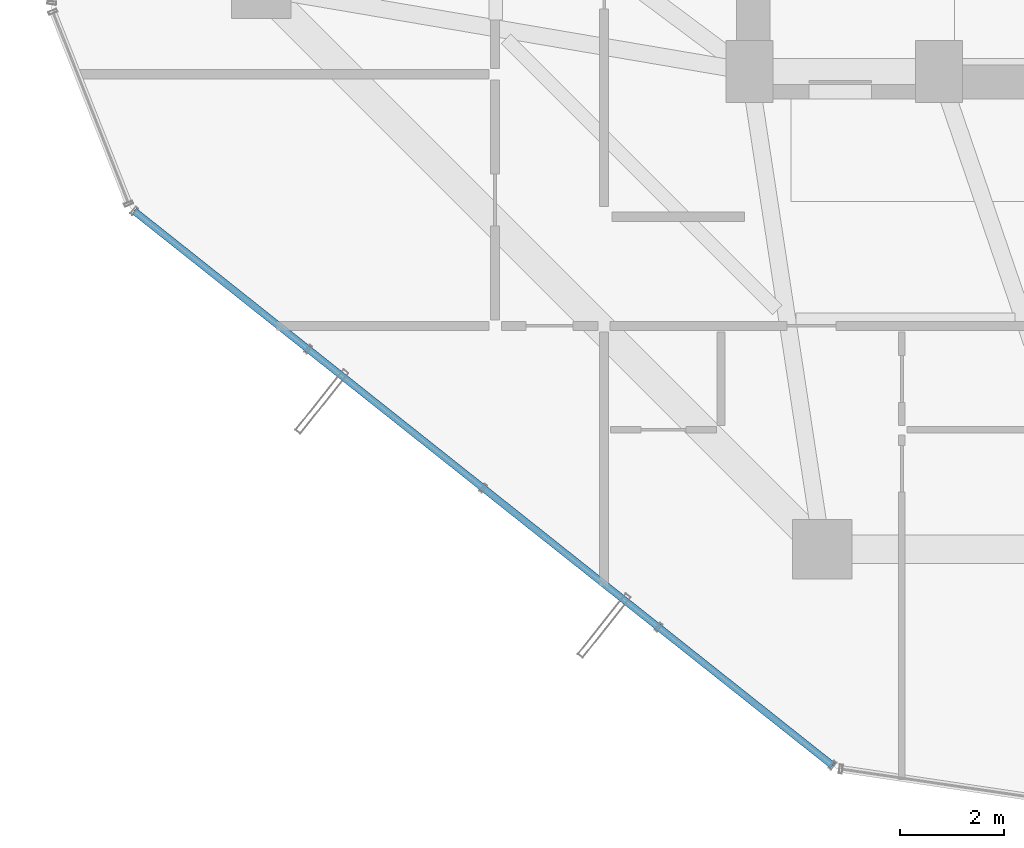
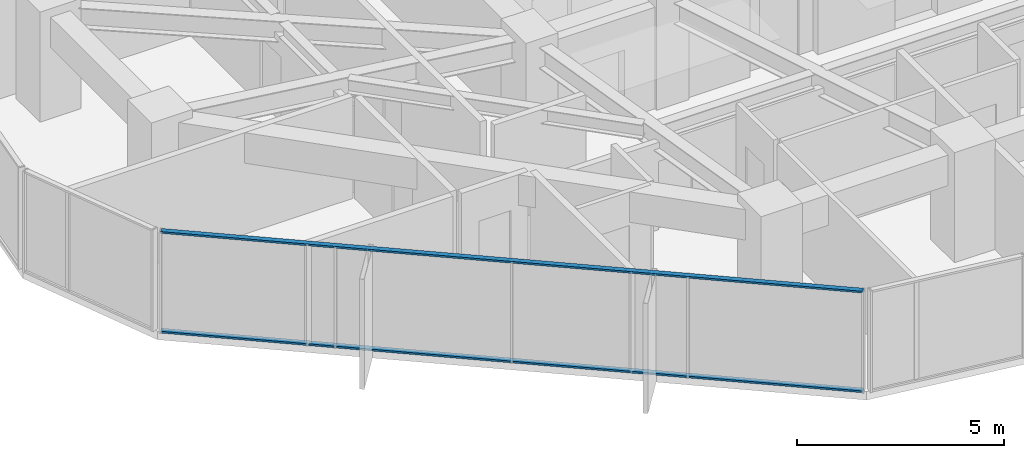
# One storey, part 3 of 29: 2 members, 1 element without a shape of its own.
"""IFC4 building model written with IfcOpenShell, lengths in metres."""

from ifc_helpers import new_model, si_unit, direction, frame, origin, origin_2d, place, context, subcontext, project, spatial, hollow_rectangle, extrude, source, transform, mapped, material, layer, layer_set, material_profile, profile_set, type_object, element, aggregate, save


model = new_model("IFC4")

# Units and contexts
model_context = context("Model", 3, precision=1e-05, world=origin(), true_north=direction((0.0, 1.0)))
body_context = subcontext(model_context, "Body", "Model", "MODEL_VIEW")
ifc_project = project(units=[si_unit("LENGTHUNIT", "METRE"), si_unit("AREAUNIT", "SQUARE_METRE"), si_unit("VOLUMEUNIT", "CUBIC_METRE"), si_unit("PLANEANGLEUNIT", "RADIAN"), si_unit("MASSUNIT", "GRAM", prefix="KILO")], contexts=[model_context])

# Site, building, storey
site_placement = place(None, origin())
site = spatial("IfcSite", under=ifc_project, at=site_placement, CompositionType="ELEMENT")
building_placement = place(site_placement, origin())
building = spatial("IfcBuilding", under=site, at=building_placement, Name="Veraguas Prism Commons", CompositionType="ELEMENT")
storey_placement = place(building_placement, frame((0.0, 0.0, 99.199951171875)))
storey = spatial("IfcBuildingStorey", under=building, at=storey_placement, Name="L27", CompositionType="ELEMENT", Elevation=99.199951171875)

# Curtain wall, members
ifc_material = material(Name="Anodised aluminium EN AW-6063 T6", Category="aluminium")
ifc_layer = layer(ifc_material, 0.169921875, Name="Unitised Flush Curtain Wall Zone 2", Category="aluminium")
ifc_layer_set = layer_set([ifc_layer], Name="Anodised aluminium EN AW-6063 T6")
curtain_wall_type = type_object("IfcCurtainWallType", Name="Unitised Flush Curtain Wall Zone 2", PredefinedType="NOTDEFINED", material=ifc_layer_set)
curtain_wall_placement = place(storey_placement, origin())
curtain_wall = element("IfcCurtainWall", 1, at=curtain_wall_placement, inside=storey, type_object=curtain_wall_type, Name="Tower Facade Curtain Wall L27-F4", PredefinedType="NOTDEFINED")
ifc_material_profile = material_profile(ifc_material, hollow_rectangle(XDim=0.054931640625, YDim=0.135009765625, WallThickness=0.0029296875, at=origin_2d()), Name="AL55X135X3")
ifc_profile_set = profile_set([ifc_material_profile], Name="Anodised aluminium EN AW-6063 T6")
member_type = type_object("IfcMemberType", Name="Curtain Wall Transom Standard AL 55x135x3", PredefinedType="USERDEFINED", material=ifc_profile_set)
shared_shape = source(origin(), body_context, "Body", "SweptSolid", [
    extrude(hollow_rectangle(XDim=0.054931640625, YDim=0.135009765625, WallThickness=0.0029296875, at=origin_2d()), origin(), (0.0, 0.0, 1.0), 17.17431640625),
])
member_1_placement = place(storey_placement, frame((5.348388671875, 14.313720703125, 0.027587890625), z_axis=(0.783256818919, -0.621698283428, 0.0), x_axis=(0.0, 0.0, 1.0)))
member_1 = element("IfcMember", 2, at=member_1_placement, type_object=member_type, Name="CW-Z2 Transom 1", ObjectType="TRANSOM", PredefinedType="USERDEFINED", context=body_context, shape_type="MappedRepresentation", body=[
    mapped(shared_shape, transform((0.0, 0.0, 0.0), scale=1.0)),
])
member_2_placement = place(storey_placement, frame((5.348388671875, 14.313720703125, 2.97265625), z_axis=(0.783256818919, -0.621698283428, 0.0), x_axis=(0.0, 0.0, 1.0)))
member_2 = element("IfcMember", 3, at=member_2_placement, type_object=member_type, Name="CW-Z2 Transom 2", ObjectType="TRANSOM", PredefinedType="USERDEFINED", context=body_context, shape_type="MappedRepresentation", body=[
    mapped(shared_shape, transform((0.0, 0.0, 0.0), scale=1.0)),
])
aggregate(curtain_wall, [member_1, member_2])

save(model, "model.ifc")
